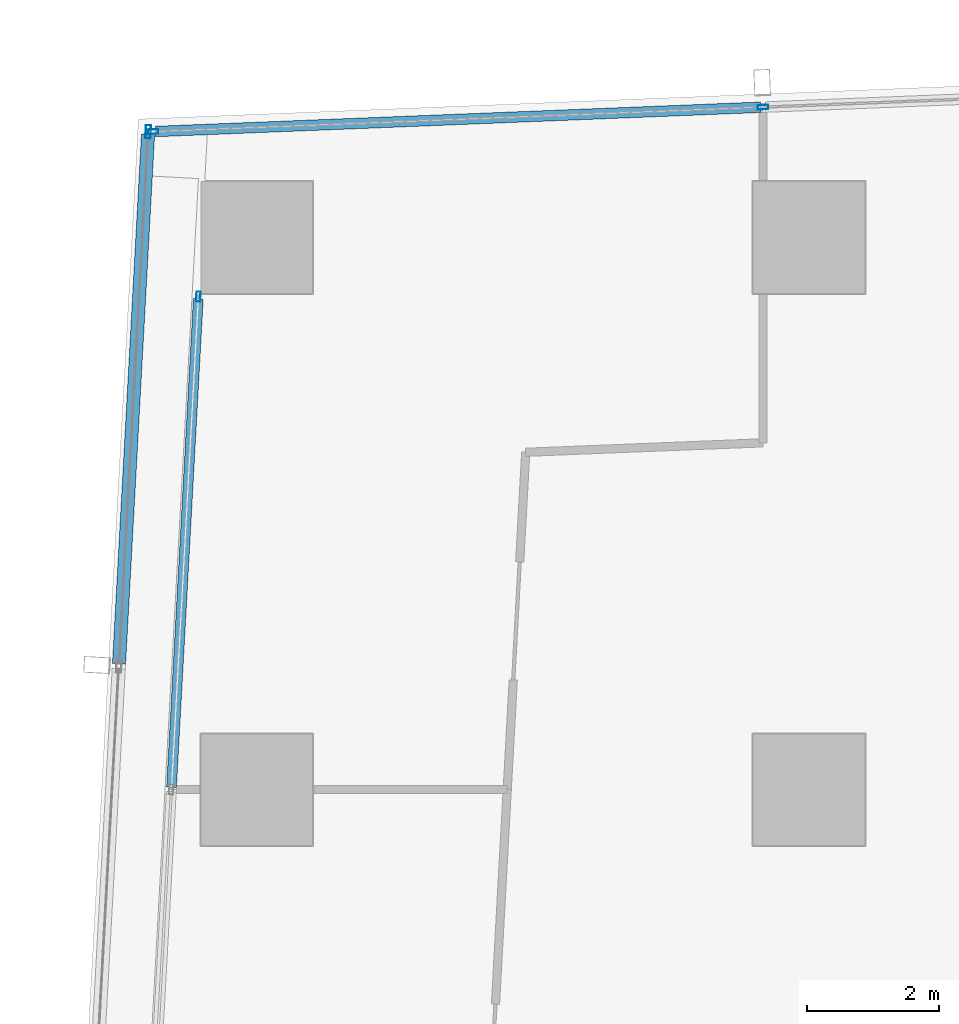
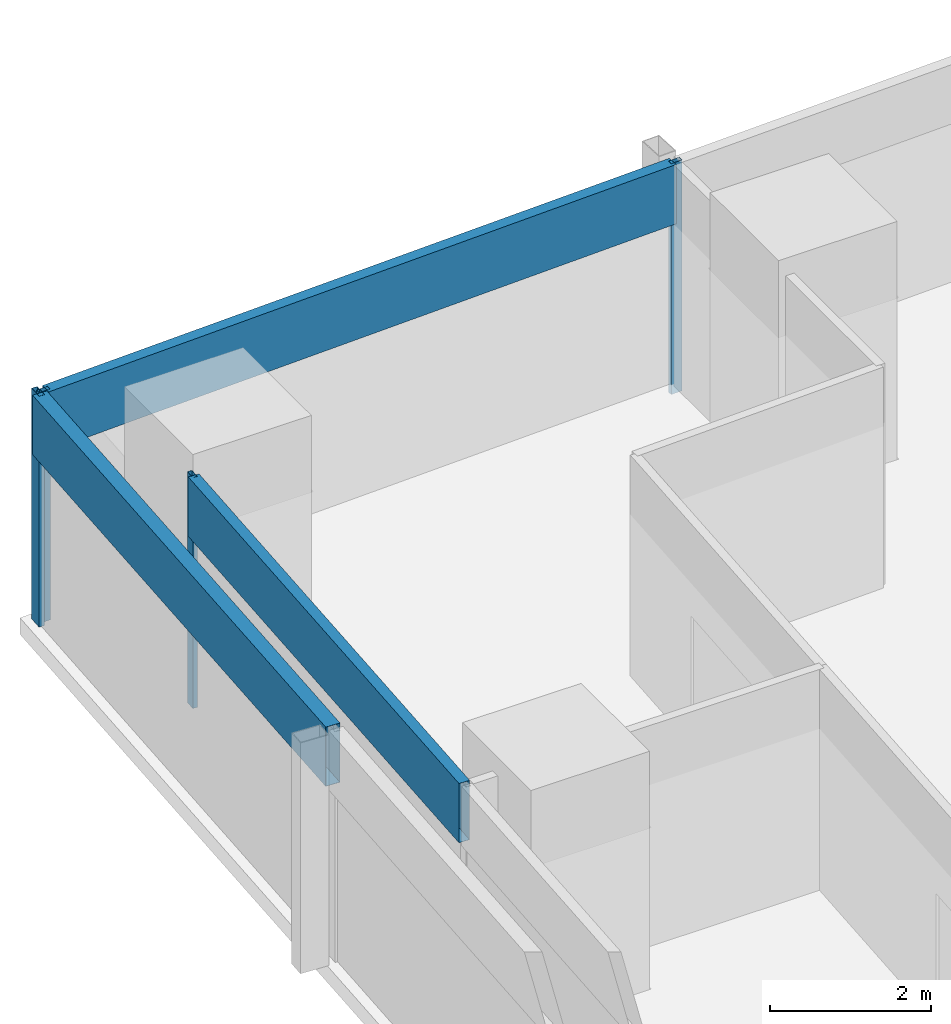
# One storey, part 15 of 40: 7 members, 3 elements without a shape of their own.
"""IFC4 building model written with IfcOpenShell, lengths in metres."""

from ifc_helpers import new_model, si_unit, direction, frame, origin, origin_2d, place, context, subcontext, project, spatial, hollow_rectangle, extrude, material, material_profile, profile_set, type_object, element, aggregate, save


model = new_model("IFC4")

# Units and contexts
model_context = context("Model", 3, precision=1e-05, world=origin(), true_north=direction((0.0, 1.0)))
body_context = subcontext(model_context, "Body", "Model", "MODEL_VIEW")
ifc_project = project(units=[si_unit("LENGTHUNIT", "METRE"), si_unit("AREAUNIT", "SQUARE_METRE"), si_unit("VOLUMEUNIT", "CUBIC_METRE"), si_unit("PLANEANGLEUNIT", "RADIAN"), si_unit("MASSUNIT", "GRAM", prefix="KILO")], contexts=[model_context])

# Site, building, storey
site_placement = place(None, origin())
site = spatial("IfcSite", under=ifc_project, at=site_placement, CompositionType="ELEMENT")
building_placement = place(site_placement, origin())
building = spatial("IfcBuilding", under=site, at=building_placement, Name="Rekha Terrace Tower", CompositionType="ELEMENT")
storey_placement = place(building_placement, frame((0.0, 0.0, 132.800048828125)))
storey = spatial("IfcBuildingStorey", under=building, at=storey_placement, Name="L33", CompositionType="ELEMENT", Elevation=132.800048828125)

# Curtain wall, members
ifc_material_1 = material(Name="Aluminium framing", Category="aluminium")
curtain_wall_type_1 = type_object("IfcCurtainWallType", Name="CW1 double skin inner glazing", PredefinedType="USERDEFINED", material=ifc_material_1)
curtain_wall_1_placement = place(storey_placement, origin())
curtain_wall_1 = element("IfcCurtainWall", 1, at=curtain_wall_1_placement, inside=storey, type_object=curtain_wall_type_1, Name="CW1 double skin inner glazing", ObjectType="DOUBLE SKIN INNER GLAZING", PredefinedType="USERDEFINED")
ifc_material_2 = material(Name="Aluminium mullion section", Category="aluminium")
ifc_material_profile_1 = material_profile(ifc_material_2, hollow_rectangle(XDim=0.06494140625, YDim=0.14990234375, WallThickness=0.00390625, at=origin_2d()), Name="AL RHS 65x150")
ifc_profile_set_1 = profile_set([ifc_material_profile_1], Name="Aluminium mullion section")
member_type_1 = type_object("IfcMemberType", Name="CW1 mullion RHS 65 x 150", PredefinedType="MULLION", material=ifc_profile_set_1)
member_1_placement = place(storey_placement, frame((7.513427734375, 57.8994140625, 0.0), z_axis=(0.0, 0.0, 1.0), x_axis=(0.99850051318, -0.054742352707, 0.0)))
member_1 = element("IfcMember", 2, at=member_1_placement, type_object=member_type_1, Name="CW1 mullion 1", PredefinedType="MULLION", context=body_context, shape_type="SweptSolid", body=[
    extrude(hollow_rectangle(XDim=0.06494140625, YDim=0.14990234375, WallThickness=0.00390625, at=origin_2d()), origin(), (0.0, 0.0, 1.0), 3.5),
])
ifc_material_3 = material(Name="Insulated aluminium spandrel box", Category="aluminium")
ifc_material_profile_2 = material_profile(ifc_material_3, hollow_rectangle(XDim=0.14990234375, YDim=0.89990234375, WallThickness=0.0029296875, at=origin_2d()), Name="AL SPANDREL BOX 150x900")
ifc_profile_set_2 = profile_set([ifc_material_profile_2], Name="Insulated aluminium spandrel box")
member_type_2 = type_object("IfcMemberType", Name="CW1 spandrel transom 150 x 900", PredefinedType="USERDEFINED", material=ifc_profile_set_2)
member_2_placement = place(storey_placement, frame((7.51171875, 57.866943359375, 3.050048828125), z_axis=(-0.054743356699, -0.998500458136, 0.0), x_axis=(0.998500458136, -0.054743356699, 0.0)))
member_2 = element("IfcMember", 3, at=member_2_placement, type_object=member_type_2, Name="CW1 spandrel transom 1", ObjectType="TRANSOM", PredefinedType="USERDEFINED", context=body_context, shape_type="SweptSolid", body=[
    extrude(hollow_rectangle(XDim=0.14990234375, YDim=0.89990234375, WallThickness=0.0029296875, at=origin_2d()), origin(), (0.0, 0.0, 1.0), 7.443359375),
])
aggregate(curtain_wall_1, [member_1, member_2])

curtain_wall_type_2 = type_object("IfcCurtainWallType", Name="CW2 double skin outer glazing", PredefinedType="USERDEFINED", material=ifc_material_1)
curtain_wall_2_placement = place(storey_placement, origin())
curtain_wall_2 = element("IfcCurtainWall", 4, at=curtain_wall_2_placement, inside=storey, type_object=curtain_wall_type_2, Name="CW2 double skin outer glazing", ObjectType="DOUBLE SKIN OUTER GLAZING", PredefinedType="USERDEFINED")
ifc_material_profile_3 = material_profile(ifc_material_2, hollow_rectangle(XDim=0.080078125, YDim=0.199951171875, WallThickness=0.00390625, at=origin_2d()), Name="AL RHS 80x200")
ifc_profile_set_3 = profile_set([ifc_material_profile_3], Name="Aluminium mullion section")
member_type_3 = type_object("IfcMemberType", Name="CW2 mullion RHS 80 x 200", PredefinedType="MULLION", material=ifc_profile_set_3)
member_3_placement = place(storey_placement, frame((6.74951171875, 60.406005859375, 0.0), z_axis=(0.0, 0.0, 1.0), x_axis=(0.99850051318, -0.054742352707, 0.0)))
member_3 = element("IfcMember", 5, at=member_3_placement, type_object=member_type_3, Name="CW2 mullion 1", PredefinedType="MULLION", context=body_context, shape_type="SweptSolid", body=[
    extrude(hollow_rectangle(XDim=0.080078125, YDim=0.199951171875, WallThickness=0.00390625, at=origin_2d()), origin(), (0.0, 0.0, 1.0), 3.5),
])
ifc_material_profile_4 = material_profile(ifc_material_3, hollow_rectangle(XDim=0.199951171875, YDim=0.89990234375, WallThickness=0.0029296875, at=origin_2d()), Name="AL SPANDREL BOX 200x900")
ifc_profile_set_4 = profile_set([ifc_material_profile_4], Name="Insulated aluminium spandrel box")
member_type_4 = type_object("IfcMemberType", Name="CW2 spandrel transom 200 x 900", PredefinedType="USERDEFINED", material=ifc_profile_set_4)
member_4_placement = place(storey_placement, frame((6.747314453125, 60.365966796875, 3.050048828125), z_axis=(-0.054735200093, -0.998500905293, 0.0), x_axis=(0.998500905293, -0.054735200093, 0.0)))
member_4 = element("IfcMember", 6, at=member_4_placement, type_object=member_type_4, Name="CW2 spandrel transom 1", ObjectType="TRANSOM", PredefinedType="USERDEFINED", context=body_context, shape_type="SweptSolid", body=[
    extrude(hollow_rectangle(XDim=0.199951171875, YDim=0.89990234375, WallThickness=0.0029296875, at=origin_2d()), origin(), (0.0, 0.0, 1.0), 8.059814453125),
])
aggregate(curtain_wall_2, [member_3, member_4])

curtain_wall_type_3 = type_object("IfcCurtainWallType", Name="CW3 north unitised glazing", PredefinedType="USERDEFINED", material=ifc_material_1)
curtain_wall_3_placement = place(storey_placement, origin())
curtain_wall_3 = element("IfcCurtainWall", 7, at=curtain_wall_3_placement, inside=storey, type_object=curtain_wall_type_3, Name="CW3 unitised curtain wall", ObjectType="UNITISED CURTAIN WALL", PredefinedType="USERDEFINED")
ifc_material_profile_5 = material_profile(ifc_material_2, hollow_rectangle(XDim=0.070068359375, YDim=0.159912109375, WallThickness=0.00390625, at=origin_2d()), Name="AL RHS 70x160")
ifc_profile_set_5 = profile_set([ifc_material_profile_5], Name="Aluminium mullion section")
member_type_5 = type_object("IfcMemberType", Name="CW3 mullion RHS 70 x 160", PredefinedType="MULLION", material=ifc_profile_set_5)
member_5_placement = place(storey_placement, frame((16.101806640625, 60.780517578125, 0.0), z_axis=(0.0, 0.0, 1.0), x_axis=(0.040031987119, -0.999198398721, 0.0)))
member_5 = element("IfcMember", 8, at=member_5_placement, type_object=member_type_5, Name="CW3 mullion 4", PredefinedType="MULLION", context=body_context, shape_type="SweptSolid", body=[
    extrude(hollow_rectangle(XDim=0.070068359375, YDim=0.159912109375, WallThickness=0.00390625, at=origin_2d()), origin(), (0.0, 0.0, 1.0), 3.5),
])
member_6_placement = place(storey_placement, frame((6.82470703125, 60.408935546875, 0.0), z_axis=(0.0, 0.0, 1.0), x_axis=(0.040031987119, -0.999198398721, 0.0)))
member_6 = element("IfcMember", 9, at=member_6_placement, type_object=member_type_5, Name="CW3 mullion 5", PredefinedType="MULLION", context=body_context, shape_type="SweptSolid", body=[
    extrude(hollow_rectangle(XDim=0.070068359375, YDim=0.159912109375, WallThickness=0.00390625, at=origin_2d()), origin(), (0.0, 0.0, 1.0), 3.5),
])
ifc_material_profile_6 = material_profile(ifc_material_3, hollow_rectangle(XDim=0.159912109375, YDim=0.89990234375, WallThickness=0.0029296875, at=origin_2d()), Name="AL SPANDREL BOX 160x900")
ifc_profile_set_6 = profile_set([ifc_material_profile_6], Name="Insulated aluminium spandrel box")
member_type_6 = type_object("IfcMemberType", Name="CW3 spandrel transom 160 x 900", PredefinedType="USERDEFINED", material=ifc_profile_set_6)
member_7_placement = place(storey_placement, frame((16.06689453125, 60.779052734375, 3.050048828125), z_axis=(-0.999198332483, -0.040033640399, 0.0), x_axis=(0.040033640399, -0.999198332483, 0.0)))
member_7 = element("IfcMember", 10, at=member_7_placement, type_object=member_type_6, Name="CW3 spandrel transom 4", ObjectType="TRANSOM", PredefinedType="USERDEFINED", context=body_context, shape_type="SweptSolid", body=[
    extrude(hollow_rectangle(XDim=0.159912109375, YDim=0.89990234375, WallThickness=0.0029296875, at=origin_2d()), origin(), (0.0, 0.0, 1.0), 9.214599609375),
])
aggregate(curtain_wall_3, [member_5, member_6, member_7])

save(model, "model.ifc")
